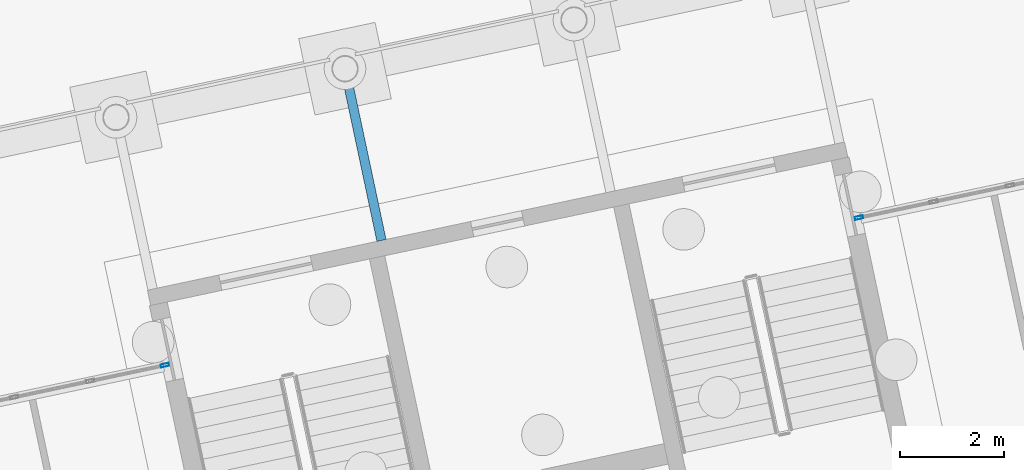
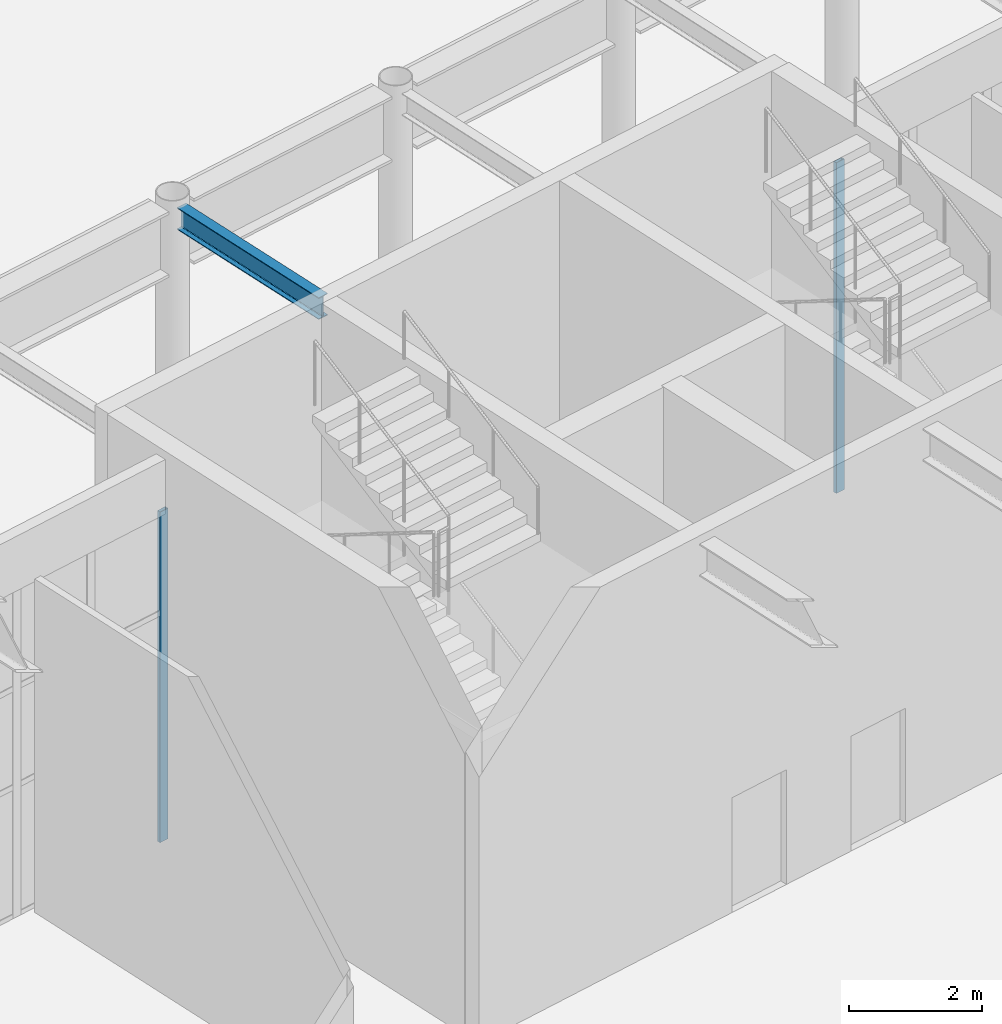
# One storey, part 68 of 239: 2 members, 1 beam, 2 elements without a shape of their own.
"""IFC4 building model written with IfcOpenShell, lengths in metres."""

from ifc_helpers import new_model, si_unit, direction, frame, origin, origin_2d, place, context, subcontext, project, spatial, hollow_rectangle, i_section, extrude, material, material_profile, profile_set, type_object, element, aggregate, save


model = new_model("IFC4")

# Units and contexts
model_context = context("Model", 3, precision=1e-05, world=origin(), true_north=direction((0.0, 1.0)))
body_context = subcontext(model_context, "Body", "Model", "MODEL_VIEW")
ifc_project = project(units=[si_unit("LENGTHUNIT", "METRE"), si_unit("AREAUNIT", "SQUARE_METRE"), si_unit("VOLUMEUNIT", "CUBIC_METRE"), si_unit("PLANEANGLEUNIT", "RADIAN"), si_unit("MASSUNIT", "GRAM", prefix="KILO")], contexts=[model_context])

# Site, building, storey
site_placement = place(None, origin())
site = spatial("IfcSite", under=ifc_project, at=site_placement, CompositionType="ELEMENT")
building_placement = place(site_placement, origin())
building = spatial("IfcBuilding", under=site, at=building_placement, Name="Okhra Congress Centre", CompositionType="ELEMENT")
storey_placement = place(building_placement, origin())
storey = spatial("IfcBuildingStorey", under=building, at=storey_placement, Name="L00", CompositionType="ELEMENT", Elevation=0.0)

# Curtain wall, member
ifc_material_1 = material(Name="Aluminium curtain wall, triple glazing", Category="aluminium")
curtain_wall_type = type_object("IfcCurtainWallType", Name="Curtain wall 1500 module", PredefinedType="NOTDEFINED", material=ifc_material_1)
curtain_wall_1_placement = place(storey_placement, origin())
curtain_wall_1 = element("IfcCurtainWall", 1, at=curtain_wall_1_placement, inside=storey, type_object=curtain_wall_type, Name="Ground curtain wall N7", PredefinedType="NOTDEFINED")
ifc_material_2 = material(Name="Aluminium alloy EN AW-6063 T66", Category="aluminium")
ifc_material_profile_1 = material_profile(ifc_material_2, hollow_rectangle(XDim=0.06005859375, YDim=0.159912109375, WallThickness=0.00390625, at=origin_2d()), Name="RHS 60x160x4")
ifc_profile_set_1 = profile_set([ifc_material_profile_1], Name="Aluminium alloy EN AW-6063 T66")
member_type = type_object("IfcMemberType", Name="Curtain wall mullion 60x160", PredefinedType="MULLION", material=ifc_profile_set_1)
member_1_placement = place(storey_placement, frame((96.5771484375, 53.941650390625, 0.0), z_axis=(0.0, 0.0, 1.0), x_axis=(-0.207911690818, 0.978147600734, 0.0)))
member_1 = element("IfcMember", 2, at=member_1_placement, type_object=member_type, Name="CW7 mullion 19", PredefinedType="MULLION", context=body_context, shape_type="SweptSolid", body=[
    extrude(hollow_rectangle(XDim=0.06005859375, YDim=0.159912109375, WallThickness=0.00390625, at=origin_2d()), origin(), (0.0, 0.0, 1.0), 6.050048828125),
])
aggregate(curtain_wall_1, [member_1])

curtain_wall_2_placement = place(storey_placement, origin())
curtain_wall_2 = element("IfcCurtainWall", 3, at=curtain_wall_2_placement, inside=storey, type_object=curtain_wall_type, Name="Ground curtain wall N8", PredefinedType="NOTDEFINED")
member_2_placement = place(storey_placement, frame((109.9189453125, 56.777587890625, 0.0), z_axis=(0.0, 0.0, 1.0), x_axis=(-0.207911690818, 0.978147600734, 0.0)))
member_2 = element("IfcMember", 4, at=member_2_placement, type_object=member_type, Name="CW7 mullion 1", PredefinedType="MULLION", context=body_context, shape_type="SweptSolid", body=[
    extrude(hollow_rectangle(XDim=0.06005859375, YDim=0.159912109375, WallThickness=0.00390625, at=origin_2d()), origin(), (0.0, 0.0, 1.0), 6.050048828125),
])
aggregate(curtain_wall_2, [member_2])

# Beam
ifc_material_3 = material(Name="Steel S355J2", Category="steel")
ifc_material_profile_2 = material_profile(ifc_material_3, i_section(OverallWidth=0.179931640625, OverallDepth=0.39990234375, WebThickness=0.008544921875, FlangeThickness=0.013427734375, FilletRadius=0.02099609375, at=origin_2d()), Name="IPE 400")
ifc_profile_set_2 = profile_set([ifc_material_profile_2], Name="Steel S355J2")
beam_type = type_object("IfcBeamType", Name="Floor beam stub IPE 400", PredefinedType="BEAM", material=ifc_profile_set_2)
beam_placement = place(storey_placement, frame((100.739501953125, 56.339599609375, 6.85009765625), z_axis=(-0.207932330883, 0.978143213325, 0.0), x_axis=(-0.978143213325, -0.207932330883, 0.0)))
element("IfcBeam", 5, at=beam_placement, inside=storey, type_object=beam_type, Name="Floor beam 10.2", PredefinedType="BEAM", context=body_context, shape_type="SweptSolid", body=[
    extrude(i_section(OverallWidth=0.179931640625, OverallDepth=0.39990234375, WebThickness=0.008544921875, FlangeThickness=0.013427734375, FilletRadius=0.02099609375, at=origin_2d()), origin(), (0.0, 0.0, 1.0), 3.1748046875),
])

save(model, "model.ifc")
